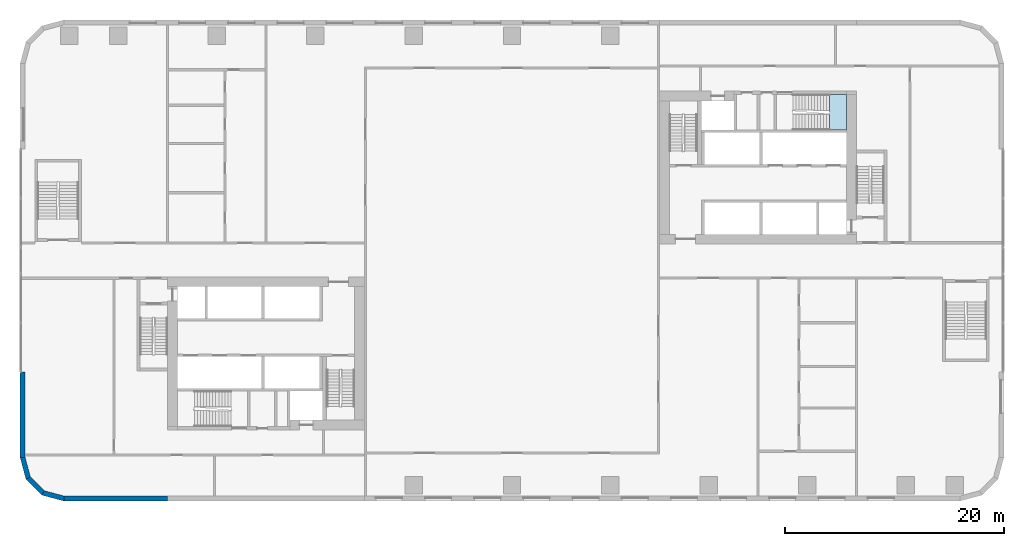
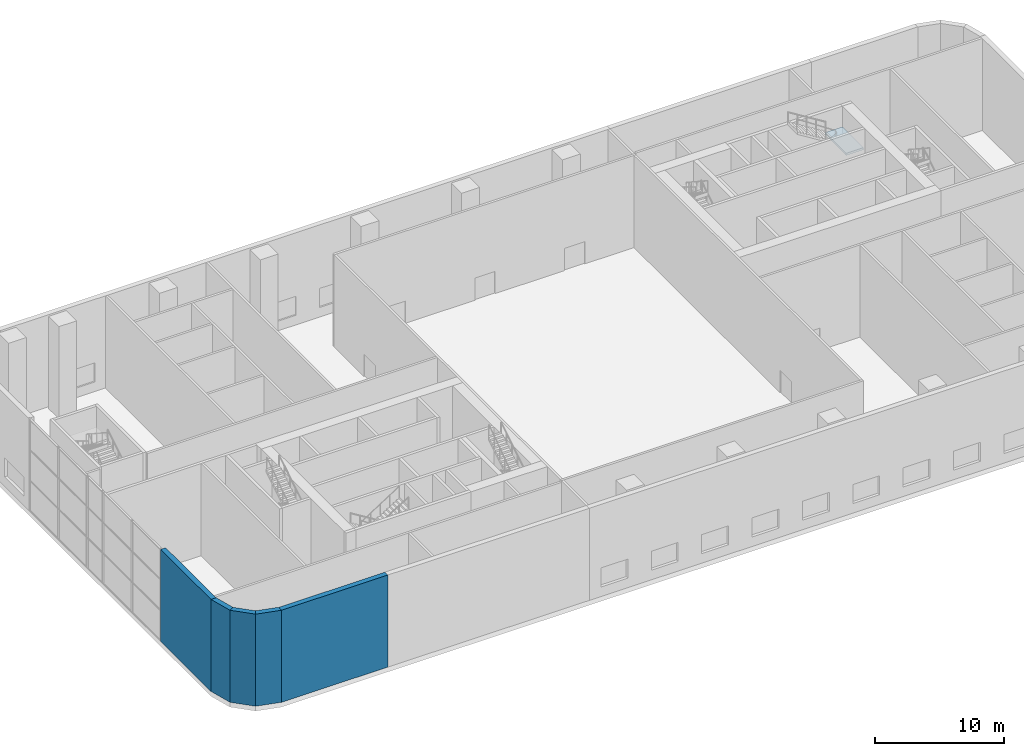
# One storey, part 5 of 24: 5 walls, 1 slab, 1 element without a shape of its own.
"""IFC4 building model written with IfcOpenShell, lengths in metres."""

from ifc_helpers import new_model, si_unit, direction, frame, frame_2d, origin, place, context, subcontext, project, spatial, polyline, rectangle, outline, extrude, material, layer, layer_set, type_object, element, aggregate, save


model = new_model("IFC4")

# Units and contexts
model_context = context("Model", 3, precision=1e-05, world=origin(), true_north=direction((0.0, 1.0)))
body_context = subcontext(model_context, "Body", "Model", "MODEL_VIEW")
ifc_project = project(units=[si_unit("LENGTHUNIT", "METRE"), si_unit("AREAUNIT", "SQUARE_METRE"), si_unit("VOLUMEUNIT", "CUBIC_METRE"), si_unit("PLANEANGLEUNIT", "RADIAN"), si_unit("MASSUNIT", "GRAM", prefix="KILO")], contexts=[model_context])

# Site, building, storey
site_placement = place(None, origin())
site = spatial("IfcSite", under=ifc_project, at=site_placement, CompositionType="ELEMENT")
building_placement = place(site_placement, origin())
building = spatial("IfcBuilding", under=site, at=building_placement, Name="Kajstack Hotel Tower", CompositionType="ELEMENT")
storey_placement = place(building_placement, frame((0.0, 0.0, 38.0)))
storey = spatial("IfcBuildingStorey", under=building, at=storey_placement, Name="L06", CompositionType="ELEMENT", Elevation=38.0)

# Stair, slab
ifc_material_1 = material(Name="Concrete C40/50", Category="concrete")
stair_type = type_object("IfcStairType", Name="Exit stair 1500", PredefinedType="HALF_TURN_STAIR", material=ifc_material_1)
stair_placement = place(storey_placement, origin())
stair = element("IfcStair", 1, at=stair_placement, inside=storey, type_object=stair_type, Name="L06 stair E3", PredefinedType="HALF_TURN_STAIR")
ifc_layer_1 = layer(ifc_material_1, 0.199951171875)
ifc_layer_set_1 = layer_set([ifc_layer_1], Name="Stair landing 200")
slab_type = type_object("IfcSlabType", Name="Stair landing 200", PredefinedType="LANDING", material=ifc_layer_set_1)
slab_placement = place(storey_placement, frame((0.0, 0.0, 6.550048828125)))
slab = element("IfcSlab", 2, at=slab_placement, type_object=slab_type, Name="E3 landing 3", PredefinedType="LANDING", context=body_context, shape_type="SweptSolid", body=[
    extrude(outline(polyline([(29.06005859375, 11.949951171875), (30.60009765625, 11.949951171875), (30.60009765625, 15.199951171875), (29.06005859375, 15.199951171875), (29.06005859375, 11.949951171875)])), origin(), (0.0, 0.0, 1.0), 0.199951171875),
])
aggregate(stair, [slab])

# Walls
ifc_material_2 = material(Name="Terracotta-faced brick masonry", Category="masonry")
ifc_layer_2 = layer(ifc_material_2, 0.449951171875)
ifc_layer_set_2 = layer_set([ifc_layer_2], Name="EW-TERRA")
wall_type = type_object("IfcWallType", Name="EW-TERRA", PredefinedType="SOLIDWALL", material=ifc_layer_set_2)
wall_1_placement = place(storey_placement, frame((-44.78271484375, -17.941650390625, 0.0), z_axis=(0.0, 0.0, 1.0), x_axis=(0.25881466832, -0.965926999034, 0.0)))
element("IfcWall", 3, at=wall_1_placement, inside=storey, type_object=wall_type, Name="E-wall-L06-00-00", PredefinedType="SOLIDWALL", context=body_context, shape_type="SweptSolid", body=[
    extrude(outline(polyline([(0.000244140625, -0.22509765625), (2.070556640625, -0.224853515625), (1.9501953125, 0.22509765625), (0.12060546875, 0.22509765625), (0.000244140625, -0.22509765625)])), origin(), (0.0, 0.0, 1.0), 8.699951171875),
])
wall_2_placement = place(storey_placement, frame((-44.304931640625, -19.8408203125, 0.0), z_axis=(0.0, 0.0, 1.0), x_axis=(0.707106781187, -0.707106781187, 0.0)))
element("IfcWall", 4, at=wall_2_placement, inside=storey, type_object=wall_type, Name="E-wall-L06-01-00", PredefinedType="SOLIDWALL", context=body_context, shape_type="SweptSolid", body=[
    extrude(outline(polyline([(0.0, -0.22509765625), (2.070556640625, -0.22509765625), (1.949951171875, 0.224853515625), (0.12060546875, 0.224853515625), (0.0, -0.22509765625)])), origin(), (0.0, 0.0, 1.0), 8.699951171875),
])
wall_3_placement = place(storey_placement, frame((-42.941650390625, -21.246826171875, 0.0), z_axis=(0.0, 0.0, 1.0), x_axis=(0.965926999034, -0.25881466832, 0.0)))
element("IfcWall", 5, at=wall_3_placement, inside=storey, type_object=wall_type, Name="E-wall-L06-02-00", PredefinedType="SOLIDWALL", context=body_context, shape_type="SweptSolid", body=[
    extrude(outline(polyline([(-0.000244140625, -0.224853515625), (2.0703125, -0.22509765625), (1.949951171875, 0.22509765625), (0.120361328125, 0.22509765625), (-0.000244140625, -0.224853515625)])), origin(), (0.0, 0.0, 1.0), 8.699951171875),
])
wall_4_placement = place(storey_placement, frame((-41.0, -21.77490234375, 0.0), z_axis=(0.0, 0.0, 1.0), x_axis=(1.0, 0.0, 0.0)))
element("IfcWall", 6, at=wall_4_placement, inside=storey, type_object=wall_type, Name="E-wall-L06-03-00", PredefinedType="SOLIDWALL", context=body_context, shape_type="SweptSolid", body=[
    extrude(rectangle(XDim=9.5, YDim=0.449951171875, at=frame_2d((4.75, 0.0))), origin(), (0.0, 0.0, 1.0), 8.699951171875),
])
wall_5_placement = place(storey_placement, frame((-44.77490234375, -10.199951171875, 0.0), z_axis=(0.0, 0.0, 1.0), x_axis=(0.0, -1.0, 0.0)))
element("IfcWall", 7, at=wall_5_placement, inside=storey, type_object=wall_type, Name="E-wall-L06-15-02", PredefinedType="SOLIDWALL", context=body_context, shape_type="SweptSolid", body=[
    extrude(rectangle(XDim=7.800048828125, YDim=0.449951171875, at=frame_2d((3.89990234375, 0.0))), origin(), (0.0, 0.0, 1.0), 8.699951171875),
])

save(model, "model.ifc")
